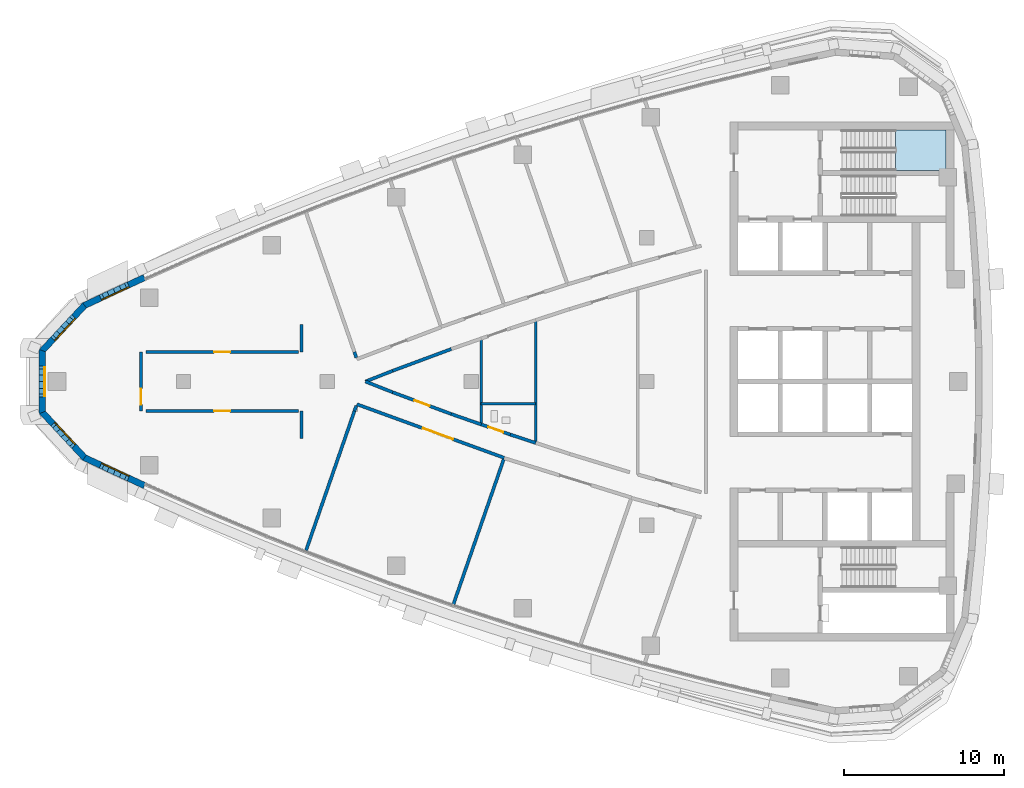
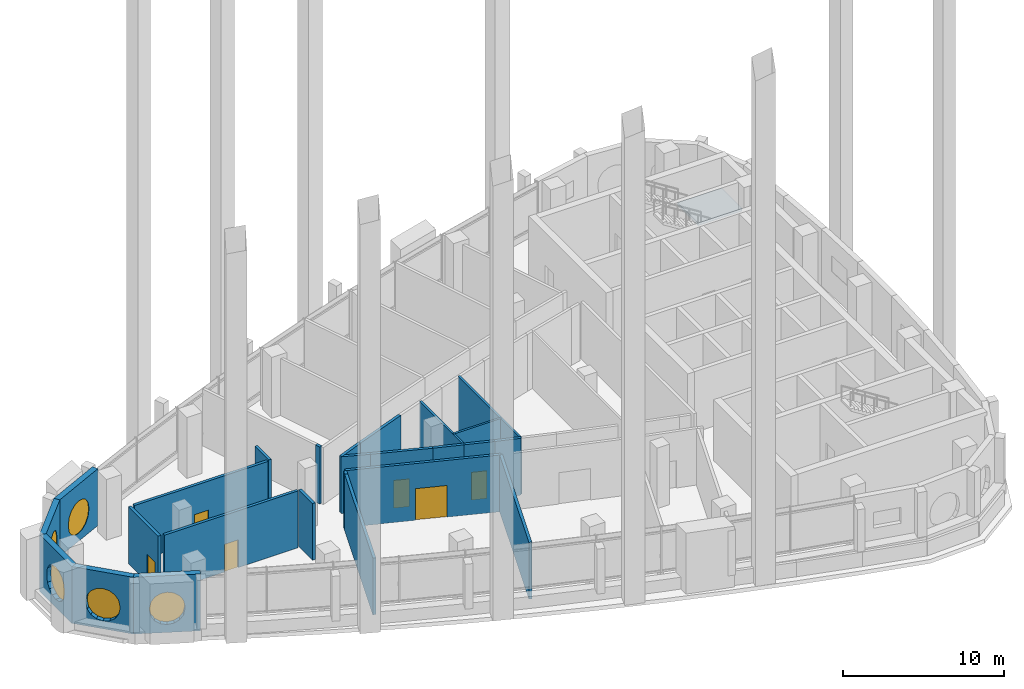
# One storey, part 6 of 15: 25 walls, 6 doors, 5 windows, 1 slab, 11 openings, 1 element without a shape of its own.
"""IFC4 building model written with IfcOpenShell, lengths in metres."""

from ifc_helpers import new_model, si_unit, direction, frame, frame_2d, origin, place, context, subcontext, project, spatial, polyline, rectangle, outline, extrude, material, layer, layer_set, type_object, element, fill, aggregate, save


model = new_model("IFC4")

# Units and contexts
model_context = context("Model", 3, precision=1e-05, world=origin(), true_north=direction((0.0, 1.0)))
body_context = subcontext(model_context, "Body", "Model", "MODEL_VIEW")
ifc_project = project(units=[si_unit("LENGTHUNIT", "METRE"), si_unit("AREAUNIT", "SQUARE_METRE"), si_unit("VOLUMEUNIT", "CUBIC_METRE"), si_unit("PLANEANGLEUNIT", "RADIAN"), si_unit("MASSUNIT", "GRAM", prefix="KILO")], contexts=[model_context])

# Site, building, storey
site_placement = place(None, origin())
site = spatial("IfcSite", under=ifc_project, at=site_placement, CompositionType="ELEMENT")
building_placement = place(site_placement, origin())
building = spatial("IfcBuilding", under=site, at=building_placement, Name="Ostrand Prow Hotel Tower", CompositionType="ELEMENT")
storey_placement = place(building_placement, frame((0.0, 0.0, 263.300048828125)))
storey = spatial("IfcBuildingStorey", under=building, at=storey_placement, Name="L66", CompositionType="ELEMENT", Elevation=263.300048828125)

# Stair, slab
ifc_material_1 = material(Name="Concrete C40/50", Category="concrete")
stair_type = type_object("IfcStairType", Name="Exit stair 1200 upper zone", PredefinedType="HALF_TURN_STAIR", material=ifc_material_1)
stair_placement = place(storey_placement, origin())
stair = element("IfcStair", 1, at=stair_placement, inside=storey, type_object=stair_type, Name="L66 ST3C", PredefinedType="HALF_TURN_STAIR")
ifc_material_2 = material(Name="Concrete C40/50", Category="concrete")
ifc_layer_1 = layer(ifc_material_2, 0.199951171875)
ifc_layer_set_1 = layer_set([ifc_layer_1], Name="Concrete C40/50")
slab_type = type_object("IfcSlabType", Name="Stair landing 200 concrete", PredefinedType="LANDING", material=ifc_layer_set_1)
slab_placement = place(storey_placement, frame((0.0, 0.0, 2.099853515625)))
slab = element("IfcSlab", 2, at=slab_placement, type_object=slab_type, Name="ST3C landing 1", PredefinedType="LANDING", context=body_context, shape_type="SweptSolid", body=[
    extrude(outline(polyline([(60.56005859375, 13.199951171875), (63.719970703125, 13.199951171875), (63.719970703125, 15.75), (60.56005859375, 15.75), (60.56005859375, 13.199951171875)])), origin(), (0.0, 0.0, 1.0), 0.2001953125),
])
aggregate(stair, [slab])

# Walls
ifc_material_3 = material(Name="Plasterboard partition")
ifc_layer_2 = layer(ifc_material_3, 0.14990234375)
ifc_layer_set_2 = layer_set([ifc_layer_2], Name="Plasterboard partition")
wall_type_1 = type_object("IfcWallType", Name="Partition 150 room partition", PredefinedType="PARTITIONING", material=ifc_layer_set_2)
wall_1_placement = place(storey_placement, frame((34.63232421875, -1.3828125, 0.0), z_axis=(0.0, 0.0, 1.0), x_axis=(1.0, 0.0, 0.0)))
element("IfcWall", 3, at=wall_1_placement, inside=storey, type_object=wall_type_1, Name="ROOM PARTITION", PredefinedType="PARTITIONING", context=body_context, shape_type="SweptSolid", body=[
    extrude(rectangle(XDim=3.410400390625, YDim=0.14990234375, at=frame_2d((1.705078125, 0.0))), origin(), (0.0, 0.0, 1.0), 4.300048828125),
])
wall_2_placement = place(storey_placement, frame((34.63232421875, -2.6875, 0.0), z_axis=(0.0, 0.0, 1.0), x_axis=(0.0, 1.0, 0.0)))
element("IfcWall", 4, at=wall_2_placement, inside=storey, type_object=wall_type_1, Name="ROOM PARTITION", PredefinedType="PARTITIONING", context=body_context, shape_type="SweptSolid", body=[
    extrude(rectangle(XDim=5.375, YDim=0.14990234375, at=frame_2d((2.6875, 0.0))), origin(), (0.0, 0.0, 1.0), 4.300048828125),
])
wall_3_placement = place(storey_placement, frame((38.042724609375, -3.8408203125, 0.0), z_axis=(0.0, 0.0, 1.0), x_axis=(0.0, 1.0, 0.0)))
element("IfcWall", 5, at=wall_3_placement, inside=storey, type_object=wall_type_1, Name="ROOM PARTITION", PredefinedType="PARTITIONING", context=body_context, shape_type="SweptSolid", body=[
    extrude(rectangle(XDim=7.681640625, YDim=0.14990234375, at=frame_2d((3.8408203125, 0.0))), origin(), (0.0, 0.0, 1.0), 4.300048828125),
])

# Wall, opening, door
ifc_material_4 = material(Name="Plasterboard partition")
ifc_layer_3 = layer(ifc_material_4, 0.199951171875)
ifc_layer_set_3 = layer_set([ifc_layer_3], Name="Plasterboard partition")
wall_type_2 = type_object("IfcWallType", Name="Partition 200 corridor wall", PredefinedType="PARTITIONING", material=ifc_layer_set_3)
wall_4_placement = place(storey_placement, frame((13.63720703125, 1.85009765625, 0.0), z_axis=(0.0, 0.0, 1.0), x_axis=(1.0, 0.0, 0.0)))
wall_4 = element("IfcWall", 6, at=wall_4_placement, inside=storey, type_object=wall_type_2, Name="CORRIDOR WALL", PredefinedType="PARTITIONING", context=body_context, shape_type="SweptSolid", body=[
    extrude(rectangle(XDim=9.548583984375, YDim=0.199951171875, at=frame_2d((4.7744140625, 0.0))), origin(), (0.0, 0.0, 1.0), 4.300048828125),
])
opening_1_placement = place(wall_4_placement, frame((4.2744140625, 0.0, 0.0)))
opening_1 = element("IfcOpeningElement", 7, at=opening_1_placement, cuts=wall_4, Name="Opening D1", PredefinedType="OPENING", context=body_context, shape_type="SweptSolid", body=[
    extrude(rectangle(XDim=1.0, YDim=2.10009765625, at=frame_2d((0.5, 1.050048828125))), frame((0.0, 0.10986328125, 0.0), z_axis=(0.0, -1.0, 0.0), x_axis=(1.0, 0.0, 0.0)), (0.0, 0.0, 1.0), 0.219970703125),
])
ifc_material_5 = material(Name="Timber door leaf", Category="wood")
door_type_1 = type_object("IfcDoorType", Name="Guest room door 1000", OperationType="SINGLE_SWING_LEFT", PredefinedType="DOOR", material=ifc_material_5)
door_1_placement = place(opening_1_placement, origin())
door_1 = element("IfcDoor", 8, at=door_1_placement, inside=storey, type_object=door_type_1, Name="DOOR", OperationType="SINGLE_SWING_LEFT", OverallHeight=2.10009765625, OverallWidth=1.0, PredefinedType="DOOR", context=body_context, shape_type="SweptSolid", body=[
    extrude(rectangle(XDim=1.0, YDim=2.10009765625, at=frame_2d((0.5, 1.050048828125))), frame((0.0, 0.02490234375, 0.0), z_axis=(0.0, -1.0, 0.0), x_axis=(1.0, 0.0, 0.0)), (0.0, 0.0, 1.0), 0.050048828125),
])
fill(opening_1, door_1)

wall_5_placement = place(storey_placement, frame((13.63720703125, -1.85009765625, 0.0), z_axis=(0.0, 0.0, 1.0), x_axis=(1.0, 0.0, 0.0)))
wall_5 = element("IfcWall", 9, at=wall_5_placement, inside=storey, type_object=wall_type_2, Name="CORRIDOR WALL", PredefinedType="PARTITIONING", context=body_context, shape_type="SweptSolid", body=[
    extrude(rectangle(XDim=9.548583984375, YDim=0.199951171875, at=frame_2d((4.7744140625, 0.0))), origin(), (0.0, 0.0, 1.0), 4.300048828125),
])
opening_2_placement = place(wall_5_placement, frame((4.2744140625, 0.0, 0.0)))
opening_2 = element("IfcOpeningElement", 10, at=opening_2_placement, cuts=wall_5, Name="Opening D1R", PredefinedType="OPENING", context=body_context, shape_type="SweptSolid", body=[
    extrude(rectangle(XDim=1.0, YDim=2.10009765625, at=frame_2d((0.5, 1.050048828125))), frame((0.0, 0.10986328125, 0.0), z_axis=(0.0, -1.0, 0.0), x_axis=(1.0, 0.0, 0.0)), (0.0, 0.0, 1.0), 0.219970703125),
])
ifc_material_6 = material(Name="Timber door leaf", Category="wood")
door_type_2 = type_object("IfcDoorType", Name="Guest room door 1000 right", OperationType="SINGLE_SWING_RIGHT", PredefinedType="DOOR", material=ifc_material_6)
door_2_placement = place(opening_2_placement, origin())
door_2 = element("IfcDoor", 11, at=door_2_placement, inside=storey, type_object=door_type_2, Name="DOOR", OperationType="SINGLE_SWING_RIGHT", OverallHeight=2.10009765625, OverallWidth=1.0, PredefinedType="DOOR", context=body_context, shape_type="SweptSolid", body=[
    extrude(rectangle(XDim=1.0, YDim=2.10009765625, at=frame_2d((0.5, 1.050048828125))), frame((0.0, 0.02490234375, 0.0), z_axis=(0.0, -1.0, 0.0), x_axis=(1.0, 0.0, 0.0)), (0.0, 0.0, 1.0), 0.050048828125),
])
fill(opening_2, door_2)

wall_6_placement = place(storey_placement, frame((26.85009765625, -1.4228515625, 0.0), z_axis=(0.0, 0.0, 1.0), x_axis=(0.939807953272, -0.341703103536, 0.0)))
wall_6 = element("IfcWall", 12, at=wall_6_placement, inside=storey, type_object=wall_type_2, Name="CORRIDOR WALL", PredefinedType="PARTITIONING", context=body_context, shape_type="SweptSolid", body=[
    extrude(rectangle(XDim=9.811279296875, YDim=0.199951171875, at=frame_2d((4.90576171875, 0.0))), origin(), (0.0, 0.0, 1.0), 4.300048828125),
])
opening_3_placement = place(wall_6_placement, frame((4.405517578125, 0.0, 0.0)))
opening_3 = element("IfcOpeningElement", 13, at=opening_3_placement, cuts=wall_6, Name="Opening D20", PredefinedType="OPENING", context=body_context, shape_type="SweptSolid", body=[
    extrude(rectangle(XDim=2.0, YDim=2.39990234375, at=frame_2d((1.0, 1.199951171875))), frame((0.0, 0.10986328125, 0.0), z_axis=(0.0, -1.0, 0.0), x_axis=(1.0, 0.0, 0.0)), (0.0, 0.0, 1.0), 0.219970703125),
])
ifc_material_7 = material(Name="Timber door leaf", Category="wood")
door_type_3 = type_object("IfcDoorType", Name="Double door 2000", OperationType="DOUBLE_DOOR_SINGLE_SWING", PredefinedType="DOOR", material=ifc_material_7)
door_3_placement = place(opening_3_placement, origin())
door_3 = element("IfcDoor", 14, at=door_3_placement, inside=storey, type_object=door_type_3, Name="DOOR", OperationType="DOUBLE_DOOR_SINGLE_SWING", OverallHeight=2.39990234375, OverallWidth=2.0, PredefinedType="DOOR", context=body_context, shape_type="SweptSolid", body=[
    extrude(rectangle(XDim=2.0, YDim=2.39990234375, at=frame_2d((1.0, 1.199951171875))), frame((0.0, 0.02490234375, 0.0), z_axis=(0.0, -1.0, 0.0), x_axis=(1.0, 0.0, 0.0)), (0.0, 0.0, 1.0), 0.050048828125),
])
fill(opening_3, door_3)

wall_7_placement = place(storey_placement, frame((32.759765625, -2.034912109375, 0.0), z_axis=(0.0, 0.0, 1.0), x_axis=(-0.937460178932, 0.348092534992, 0.0)))
wall_7 = element("IfcWall", 15, at=wall_7_placement, inside=storey, type_object=wall_type_2, Name="CORRIDOR WALL", PredefinedType="PARTITIONING", context=body_context, shape_type="SweptSolid", body=[
    extrude(rectangle(XDim=3.912841796875, YDim=0.199951171875, at=frame_2d((1.95654296875, 0.0))), origin(), (0.0, 0.0, 1.0), 4.300048828125),
])
opening_4_placement = place(wall_7_placement, frame((1.45654296875, 0.0, 0.0)))
opening_4 = element("IfcOpeningElement", 16, at=opening_4_placement, cuts=wall_7, Name="Opening D1R", PredefinedType="OPENING", context=body_context, shape_type="SweptSolid", body=[
    extrude(rectangle(XDim=1.0, YDim=2.10009765625, at=frame_2d((0.5, 1.050048828125))), frame((0.0, 0.10986328125, 0.0), z_axis=(0.0, -1.0, 0.0), x_axis=(1.0, 0.0, 0.0)), (0.0, 0.0, 1.0), 0.219970703125),
])
door_4_placement = place(opening_4_placement, origin())
door_4 = element("IfcDoor", 17, at=door_4_placement, inside=storey, type_object=door_type_2, Name="DOOR", OperationType="SINGLE_SWING_RIGHT", OverallHeight=2.10009765625, OverallWidth=1.0, PredefinedType="DOOR", context=body_context, shape_type="SweptSolid", body=[
    extrude(rectangle(XDim=1.0, YDim=2.10009765625, at=frame_2d((0.5, 1.050048828125))), frame((0.0, 0.02490234375, 0.0), z_axis=(0.0, -1.0, 0.0), x_axis=(1.0, 0.0, 0.0)), (0.0, 0.0, 1.0), 0.050048828125),
])
fill(opening_4, door_4)

# Walls
for number, where, z_axis, x_axis, name in (
    (18, (29.091552734375, -0.6728515625, 0.0), (0.0, 0.0, 1.0), (-0.930265251482, 0.366887669302, 0.0), "CORRIDOR WALL"),
    (19, (27.385498046875, 0.0, 0.0), (0.0, 0.0, 1.0), (0.930265251482, 0.366887669302, 0.0), "CORRIDOR WALL"),
):
    element("IfcWall", number, at=place(storey_placement, frame(where, z_axis=z_axis, x_axis=x_axis)), inside=storey, type_object=wall_type_2, Name=name, PredefinedType="PARTITIONING", context=body_context, shape_type="SweptSolid", body=[
        extrude(rectangle(XDim=1.833984375, YDim=0.199951171875, at=frame_2d((0.9169921875, 0.0))), origin(), (0.0, 0.0, 1.0), 4.300048828125),
    ])
wall_8_placement = place(storey_placement, frame((29.091552734375, 0.6728515625, 0.0), z_axis=(0.0, 0.0, 1.0), x_axis=(0.937460178932, 0.348092534992, 0.0)))
element("IfcWall", 20, at=wall_8_placement, inside=storey, type_object=wall_type_2, Name="CORRIDOR WALL", PredefinedType="PARTITIONING", context=body_context, shape_type="SweptSolid", body=[
    extrude(rectangle(XDim=3.912841796875, YDim=0.199951171875, at=frame_2d((1.95654296875, 0.0))), origin(), (0.0, 0.0, 1.0), 4.300048828125),
])
wall_9_placement = place(storey_placement, frame((34.63232421875, -2.6875, 0.0), z_axis=(0.0, 0.0, 1.0), x_axis=(-0.944298975954, 0.3290888087, 0.0)))
element("IfcWall", 21, at=wall_9_placement, inside=storey, type_object=wall_type_2, Name="CORRIDOR WALL", PredefinedType="PARTITIONING", context=body_context, shape_type="SweptSolid", body=[
    extrude(rectangle(XDim=1.98291015625, YDim=0.199951171875, at=frame_2d((0.991455078125, 0.0))), origin(), (0.0, 0.0, 1.0), 4.300048828125),
])

# Wall, opening, door
wall_10_placement = place(storey_placement, frame((36.45458984375, -3.32275390625, 0.0), z_axis=(0.0, 0.0, 1.0), x_axis=(-0.944267869157, 0.329178054066, 0.0)))
wall_10 = element("IfcWall", 22, at=wall_10_placement, inside=storey, type_object=wall_type_2, Name="CORRIDOR WALL", PredefinedType="PARTITIONING", context=body_context, shape_type="SweptSolid", body=[
    extrude(rectangle(XDim=1.929931640625, YDim=0.199951171875, at=frame_2d((0.96484375, 0.0))), origin(), (0.0, 0.0, 1.0), 4.300048828125),
])
opening_5_placement = place(wall_10_placement, frame((0.465087890625, 0.0, 0.0)))
opening_5 = element("IfcOpeningElement", 23, at=opening_5_placement, cuts=wall_10, Name="Opening D1", PredefinedType="OPENING", context=body_context, shape_type="SweptSolid", body=[
    extrude(rectangle(XDim=1.0, YDim=2.10009765625, at=frame_2d((0.5, 1.050048828125))), frame((0.0, 0.10986328125, 0.0), z_axis=(0.0, -1.0, 0.0), x_axis=(1.0, 0.0, 0.0)), (0.0, 0.0, 1.0), 0.219970703125),
])
door_5_placement = place(opening_5_placement, origin())
door_5 = element("IfcDoor", 24, at=door_5_placement, inside=storey, type_object=door_type_1, Name="DOOR", OperationType="SINGLE_SWING_LEFT", OverallHeight=2.10009765625, OverallWidth=1.0, PredefinedType="DOOR", context=body_context, shape_type="SweptSolid", body=[
    extrude(rectangle(XDim=1.0, YDim=2.10009765625, at=frame_2d((0.5, 1.050048828125))), frame((0.0, 0.02490234375, 0.0), z_axis=(0.0, -1.0, 0.0), x_axis=(1.0, 0.0, 0.0)), (0.0, 0.0, 1.0), 0.050048828125),
])
fill(opening_5, door_5)

# Walls
wall_11_placement = place(storey_placement, frame((38.042724609375, -3.8408203125, 0.0), z_axis=(0.0, 0.0, 1.0), x_axis=(-0.950695184954, 0.31012685357, 0.0)))
element("IfcWall", 25, at=wall_11_placement, inside=storey, type_object=wall_type_2, Name="CORRIDOR WALL", PredefinedType="PARTITIONING", context=body_context, shape_type="SweptSolid", body=[
    extrude(rectangle(XDim=1.67041015625, YDim=0.199951171875, at=frame_2d((0.835205078125, 0.0))), origin(), (0.0, 0.0, 1.0), 4.300048828125),
])
wall_12_placement = place(storey_placement, frame((23.3857421875, 3.580322265625, 0.0), z_axis=(0.0, 0.0, 1.0), x_axis=(0.0, -1.0, 0.0)))
element("IfcWall", 26, at=wall_12_placement, inside=storey, type_object=wall_type_2, Name="CORRIDOR WALL", PredefinedType="PARTITIONING", context=body_context, shape_type="SweptSolid", body=[
    extrude(rectangle(XDim=1.725341796875, YDim=0.199951171875, at=frame_2d((0.86279296875, 0.0))), origin(), (0.0, 0.0, 1.0), 4.300048828125),
])
wall_13_placement = place(storey_placement, frame((23.3857421875, -1.85498046875, 0.0), z_axis=(0.0, 0.0, 1.0), x_axis=(0.0, -1.0, 0.0)))
element("IfcWall", 27, at=wall_13_placement, inside=storey, type_object=wall_type_2, Name="CORRIDOR WALL", PredefinedType="PARTITIONING", context=body_context, shape_type="SweptSolid", body=[
    extrude(rectangle(XDim=1.71533203125, YDim=0.199951171875, at=frame_2d((0.857666015625, 0.0))), origin(), (0.0, 0.0, 1.0), 4.300048828125),
])
wall_14_placement = place(storey_placement, frame((26.817138671875, 1.495849609375, 0.0), z_axis=(0.0, 0.0, 1.0), x_axis=(-0.327535464747, 0.944838885384, 0.0)))
element("IfcWall", 28, at=wall_14_placement, inside=storey, type_object=wall_type_2, Name="CORRIDOR WALL", PredefinedType="PARTITIONING", context=body_context, shape_type="SweptSolid", body=[
    extrude(rectangle(XDim=0.375, YDim=0.199951171875, at=frame_2d((0.1875, 0.0))), origin(), (0.0, 0.0, 1.0), 4.300048828125),
])
wall_15_placement = place(storey_placement, frame((26.6943359375, -1.85009765625, 0.0), z_axis=(0.0, 0.0, 1.0), x_axis=(0.342737536943, 0.939431200658, 0.0)))
element("IfcWall", 29, at=wall_15_placement, inside=storey, type_object=wall_type_2, Name="CORRIDOR WALL", PredefinedType="PARTITIONING", context=body_context, shape_type="SweptSolid", body=[
    extrude(rectangle(XDim=0.354736328125, YDim=0.199951171875, at=frame_2d((0.17724609375, 0.0))), origin(), (0.0, 0.0, 1.0), 4.300048828125),
])
ifc_material_8 = material(Name="Plasterboard partition")
ifc_layer_4 = layer(ifc_material_8, 0.199951171875)
ifc_layer_set_4 = layer_set([ifc_layer_4], Name="Plasterboard partition")
wall_type_3 = type_object("IfcWallType", Name="Partition 200 key partition", PredefinedType="PARTITIONING", material=ifc_layer_set_4)
wall_16_placement = place(storey_placement, frame((23.66845703125, -10.573486328125, 0.0), z_axis=(0.0, 0.0, 1.0), x_axis=(0.327714422317, 0.944776829418, 0.0)))
element("IfcWall", 30, at=wall_16_placement, inside=storey, type_object=wall_type_3, Name="KEY PARTITION", PredefinedType="PARTITIONING", context=body_context, shape_type="SweptSolid", body=[
    extrude(rectangle(XDim=9.2333984375, YDim=0.199951171875, at=frame_2d((4.61669921875, 0.0))), origin(), (0.0, 0.0, 1.0), 4.300048828125),
])
wall_17_placement = place(storey_placement, frame((32.891357421875, -13.941162109375, 0.0), z_axis=(0.0, 0.0, 1.0), x_axis=(0.327725028322, 0.94477315045, 0.0)))
element("IfcWall", 31, at=wall_17_placement, inside=storey, type_object=wall_type_3, Name="KEY PARTITION", PredefinedType="PARTITIONING", context=body_context, shape_type="SweptSolid", body=[
    extrude(rectangle(XDim=9.70166015625, YDim=0.199951171875, at=frame_2d((4.850830078125, 0.0))), origin(), (0.0, 0.0, 1.0), 4.300048828125),
])

# Wall, opening, door
ifc_material_9 = material(Name="Plasterboard partition")
ifc_layer_5 = layer(ifc_material_9, 0.199951171875)
ifc_layer_set_5 = layer_set([ifc_layer_5], Name="Plasterboard partition")
wall_type_4 = type_object("IfcWallType", Name="Partition 200 lounge wall", PredefinedType="PARTITIONING", material=ifc_layer_set_5)
wall_18_placement = place(storey_placement, frame((13.337158203125, -1.85009765625, 0.0), z_axis=(0.0, 0.0, 1.0), x_axis=(0.0, 1.0, 0.0)))
wall_18 = element("IfcWall", 32, at=wall_18_placement, inside=storey, type_object=wall_type_4, Name="LOUNGE WALL", PredefinedType="PARTITIONING", context=body_context, shape_type="SweptSolid", body=[
    extrude(rectangle(XDim=3.7001953125, YDim=0.199951171875, at=frame_2d((1.85009765625, 0.0))), origin(), (0.0, 0.0, 1.0), 4.300048828125),
])
opening_6_placement = place(wall_18_placement, frame((0.39990234375, 0.0, 0.0)))
opening_6 = element("IfcOpeningElement", 33, at=opening_6_placement, cuts=wall_18, Name="Opening D1", PredefinedType="OPENING", context=body_context, shape_type="SweptSolid", body=[
    extrude(rectangle(XDim=1.0, YDim=2.10009765625, at=frame_2d((0.5, 1.050048828125))), frame((0.0, 0.10986328125, 0.0), z_axis=(0.0, -1.0, 0.0), x_axis=(1.0, 0.0, 0.0)), (0.0, 0.0, 1.0), 0.219970703125),
])
door_6_placement = place(opening_6_placement, origin())
door_6 = element("IfcDoor", 34, at=door_6_placement, inside=storey, type_object=door_type_1, Name="DOOR", OperationType="SINGLE_SWING_LEFT", OverallHeight=2.10009765625, OverallWidth=1.0, PredefinedType="DOOR", context=body_context, shape_type="SweptSolid", body=[
    extrude(rectangle(XDim=1.0, YDim=2.10009765625, at=frame_2d((0.5, 1.050048828125))), frame((0.0, 0.02490234375, 0.0), z_axis=(0.0, -1.0, 0.0), x_axis=(1.0, 0.0, 0.0)), (0.0, 0.0, 1.0), 0.050048828125),
])
fill(opening_6, door_6)

# Wall, opening, window
ifc_material_10 = material(Name="Precast concrete C40/50", Category="concrete")
ifc_layer_6 = layer(ifc_material_10, 0.39990234375)
ifc_layer_set_6 = layer_set([ifc_layer_6], Name="Precast concrete C40/50")
wall_type_5 = type_object("IfcWallType", Name="Stone-faced precast wall 400 mm", PredefinedType="NOTDEFINED", material=ifc_layer_set_6)
wall_19_placement = place(storey_placement, frame((13.55859375, 6.5146484375, 0.0), z_axis=(0.0, 0.0, 1.0), x_axis=(-0.906485602396, -0.42223672584, 0.0)))
wall_19 = element("IfcWall", 35, at=wall_19_placement, inside=storey, type_object=wall_type_5, Name="Stone-faced wall prow 1", PredefinedType="NOTDEFINED", context=body_context, shape_type="SweptSolid", body=[
    extrude(outline(polyline([(0.0, -0.199951171875), (4.1806640625, -0.199951171875), (4.1025390625, 0.199951171875), (0.0, 0.199951171875), (0.0, -0.199951171875)])), origin(), (0.0, 0.0, 1.0), 4.300048828125),
])
opening_7_placement = place(wall_19_placement, frame((0.970947265625, 0.0, 0.60009765625)))
opening_7 = element("IfcOpeningElement", 36, at=opening_7_placement, cuts=wall_19, Name="Opening WP2", PredefinedType="OPENING", context=body_context, shape_type="SweptSolid", body=[
    extrude(outline(polyline([(0.0, 1.35009765625), (0.083740234375, 1.77099609375), (0.322265625, 2.127685546875), (0.678955078125, 2.3662109375), (1.10009765625, 2.449951171875), (1.52099609375, 2.3662109375), (1.877685546875, 2.127685546875), (2.1162109375, 1.77099609375), (2.199951171875, 1.35009765625), (2.199951171875, 1.10009765625), (2.1162109375, 0.678955078125), (1.877685546875, 0.322265625), (1.52099609375, 0.083740234375), (1.10009765625, 0.0), (0.678955078125, 0.083740234375), (0.322265625, 0.322265625), (0.083740234375, 0.678955078125), (0.0, 1.099853515625), (0.0, 1.35009765625)])), frame((0.0, 0.2099609375, 0.0), z_axis=(0.0, -1.0, 0.0), x_axis=(1.0, 0.0, 0.0)), (0.0, 0.0, 1.0), 0.419921875),
])
ifc_material_11 = material(Name="Insulated glass in bronze frame", Category="glass")
window_type = type_object("IfcWindowType", Name="Round-ended prow lounge window 2200x2450", PartitioningType="SINGLE_PANEL", PredefinedType="WINDOW", material=ifc_material_11)
window_1_placement = place(opening_7_placement, origin())
window_1 = element("IfcWindow", 37, at=window_1_placement, inside=storey, type_object=window_type, Name="Window prow 1.1", OverallHeight=2.449951171875, OverallWidth=2.199951171875, PartitioningType="SINGLE_PANEL", PredefinedType="WINDOW", context=body_context, shape_type="SweptSolid", body=[
    extrude(outline(polyline([(0.0, 1.35009765625), (0.083740234375, 1.77099609375), (0.322265625, 2.127685546875), (0.678955078125, 2.3662109375), (1.10009765625, 2.449951171875), (1.52099609375, 2.3662109375), (1.877685546875, 2.127685546875), (2.1162109375, 1.77099609375), (2.199951171875, 1.35009765625), (2.199951171875, 1.10009765625), (2.1162109375, 0.678955078125), (1.877685546875, 0.322265625), (1.52099609375, 0.083740234375), (1.10009765625, 0.0), (0.678955078125, 0.083740234375), (0.322265625, 0.322265625), (0.083740234375, 0.678955078125), (0.0, 1.099853515625), (0.0, 1.35009765625)])), frame((0.0, 0.169921875, 0.0), z_axis=(0.0, -1.0, 0.0), x_axis=(1.0, 0.0, 0.0)), (0.0, 0.0, 1.0), 0.06005859375),
])
fill(opening_7, window_1)

wall_20_placement = place(storey_placement, frame((9.80419921875, 4.765869140625, 0.0), z_axis=(0.0, 0.0, 1.0), x_axis=(-0.6815467277, -0.73177459505, 0.0)))
wall_20 = element("IfcWall", 38, at=wall_20_placement, inside=storey, type_object=wall_type_5, Name="Stone-faced wall prow 2", PredefinedType="NOTDEFINED", context=body_context, shape_type="SweptSolid", body=[
    extrude(outline(polyline([(-0.0390625, -0.199951171875), (3.94775390625, -0.199951171875), (3.79052734375, 0.199951171875), (0.0390625, 0.199951171875), (-0.0390625, -0.199951171875)])), origin(), (0.0, 0.0, 1.0), 4.300048828125),
])
opening_8_placement = place(wall_20_placement, frame((0.834716796875, 0.0, 0.60009765625)))
opening_8 = element("IfcOpeningElement", 39, at=opening_8_placement, cuts=wall_20, Name="Opening WP2", PredefinedType="OPENING", context=body_context, shape_type="SweptSolid", body=[
    extrude(outline(polyline([(0.0, 1.35009765625), (0.083740234375, 1.77099609375), (0.322265625, 2.127685546875), (0.678955078125, 2.3662109375), (1.10009765625, 2.449951171875), (1.52099609375, 2.3662109375), (1.877685546875, 2.127685546875), (2.1162109375, 1.77099609375), (2.199951171875, 1.35009765625), (2.199951171875, 1.10009765625), (2.1162109375, 0.678955078125), (1.877685546875, 0.322265625), (1.52099609375, 0.083740234375), (1.10009765625, 0.0), (0.678955078125, 0.083740234375), (0.322265625, 0.322265625), (0.083740234375, 0.678955078125), (0.0, 1.099853515625), (0.0, 1.35009765625)])), frame((0.0, 0.2099609375, 0.0), z_axis=(0.0, -1.0, 0.0), x_axis=(1.0, 0.0, 0.0)), (0.0, 0.0, 1.0), 0.419921875),
])
window_2_placement = place(opening_8_placement, origin())
window_2 = element("IfcWindow", 40, at=window_2_placement, inside=storey, type_object=window_type, Name="Window prow 2.1", OverallHeight=2.449951171875, OverallWidth=2.199951171875, PartitioningType="SINGLE_PANEL", PredefinedType="WINDOW", context=body_context, shape_type="SweptSolid", body=[
    extrude(outline(polyline([(0.0, 1.35009765625), (0.083740234375, 1.77099609375), (0.322265625, 2.127685546875), (0.678955078125, 2.3662109375), (1.10009765625, 2.449951171875), (1.52099609375, 2.3662109375), (1.877685546875, 2.127685546875), (2.1162109375, 1.77099609375), (2.199951171875, 1.35009765625), (2.199951171875, 1.10009765625), (2.1162109375, 0.678955078125), (1.877685546875, 0.322265625), (1.52099609375, 0.083740234375), (1.10009765625, 0.0), (0.678955078125, 0.083740234375), (0.322265625, 0.322265625), (0.083740234375, 0.678955078125), (0.0, 1.099853515625), (0.0, 1.35009765625)])), frame((0.0, 0.169921875, 0.0), z_axis=(0.0, -1.0, 0.0), x_axis=(1.0, 0.0, 0.0)), (0.0, 0.0, 1.0), 0.06005859375),
])
fill(opening_8, window_2)

wall_21_placement = place(storey_placement, frame((7.167236328125, 1.9345703125, 0.0), z_axis=(0.0, 0.0, 1.0), x_axis=(0.0, -1.0, 0.0)))
wall_21 = element("IfcWall", 41, at=wall_21_placement, inside=storey, type_object=wall_type_5, Name="Stone-faced wall prow 3", PredefinedType="NOTDEFINED", context=body_context, shape_type="SweptSolid", body=[
    extrude(outline(polyline([(-0.07861328125, -0.199951171875), (3.94775390625, -0.199951171875), (3.79052734375, 0.199951171875), (0.07861328125, 0.199951171875), (-0.07861328125, -0.199951171875)])), origin(), (0.0, 0.0, 1.0), 4.300048828125),
])
opening_9_placement = place(wall_21_placement, frame((0.834716796875, 0.0, 0.60009765625)))
opening_9 = element("IfcOpeningElement", 42, at=opening_9_placement, cuts=wall_21, Name="Opening WP2", PredefinedType="OPENING", context=body_context, shape_type="SweptSolid", body=[
    extrude(outline(polyline([(0.0, 1.35009765625), (0.083740234375, 1.77099609375), (0.322265625, 2.127685546875), (0.678955078125, 2.3662109375), (1.10009765625, 2.449951171875), (1.52099609375, 2.3662109375), (1.877685546875, 2.127685546875), (2.1162109375, 1.77099609375), (2.199951171875, 1.35009765625), (2.199951171875, 1.10009765625), (2.1162109375, 0.678955078125), (1.877685546875, 0.322265625), (1.52099609375, 0.083740234375), (1.10009765625, 0.0), (0.678955078125, 0.083740234375), (0.322265625, 0.322265625), (0.083740234375, 0.678955078125), (0.0, 1.099853515625), (0.0, 1.35009765625)])), frame((0.0, 0.2099609375, 0.0), z_axis=(0.0, -1.0, 0.0), x_axis=(1.0, 0.0, 0.0)), (0.0, 0.0, 1.0), 0.419921875),
])
window_3_placement = place(opening_9_placement, origin())
window_3 = element("IfcWindow", 43, at=window_3_placement, inside=storey, type_object=window_type, Name="Window prow 3.1", OverallHeight=2.449951171875, OverallWidth=2.199951171875, PartitioningType="SINGLE_PANEL", PredefinedType="WINDOW", context=body_context, shape_type="SweptSolid", body=[
    extrude(outline(polyline([(0.0, 1.35009765625), (0.083740234375, 1.77099609375), (0.322265625, 2.127685546875), (0.678955078125, 2.3662109375), (1.10009765625, 2.449951171875), (1.52099609375, 2.3662109375), (1.877685546875, 2.127685546875), (2.1162109375, 1.77099609375), (2.199951171875, 1.35009765625), (2.199951171875, 1.10009765625), (2.1162109375, 0.678955078125), (1.877685546875, 0.322265625), (1.52099609375, 0.083740234375), (1.10009765625, 0.0), (0.678955078125, 0.083740234375), (0.322265625, 0.322265625), (0.083740234375, 0.678955078125), (0.0, 1.099853515625), (0.0, 1.35009765625)])), frame((0.0, 0.169921875, 0.0), z_axis=(0.0, -1.0, 0.0), x_axis=(1.0, 0.0, 0.0)), (0.0, 0.0, 1.0), 0.06005859375),
])
fill(opening_9, window_3)

wall_22_placement = place(storey_placement, frame((7.167236328125, -1.9345703125, 0.0), z_axis=(0.0, 0.0, 1.0), x_axis=(0.6815467277, -0.73177459505, 0.0)))
wall_22 = element("IfcWall", 44, at=wall_22_placement, inside=storey, type_object=wall_type_5, Name="Stone-faced wall prow 4", PredefinedType="NOTDEFINED", context=body_context, shape_type="SweptSolid", body=[
    extrude(outline(polyline([(-0.07861328125, -0.199951171875), (3.908203125, -0.199951171875), (3.830078125, 0.199951171875), (0.07861328125, 0.199951171875), (-0.07861328125, -0.199951171875)])), origin(), (0.0, 0.0, 1.0), 4.300048828125),
])
opening_10_placement = place(wall_22_placement, frame((0.834716796875, 0.0, 0.60009765625)))
opening_10 = element("IfcOpeningElement", 45, at=opening_10_placement, cuts=wall_22, Name="Opening WP2", PredefinedType="OPENING", context=body_context, shape_type="SweptSolid", body=[
    extrude(outline(polyline([(0.0, 1.35009765625), (0.083740234375, 1.77099609375), (0.322265625, 2.127685546875), (0.678955078125, 2.3662109375), (1.10009765625, 2.449951171875), (1.52099609375, 2.3662109375), (1.877685546875, 2.127685546875), (2.1162109375, 1.77099609375), (2.199951171875, 1.35009765625), (2.199951171875, 1.10009765625), (2.1162109375, 0.678955078125), (1.877685546875, 0.322265625), (1.52099609375, 0.083740234375), (1.10009765625, 0.0), (0.678955078125, 0.083740234375), (0.322265625, 0.322265625), (0.083740234375, 0.678955078125), (0.0, 1.099853515625), (0.0, 1.35009765625)])), frame((0.0, 0.2099609375, 0.0), z_axis=(0.0, -1.0, 0.0), x_axis=(1.0, 0.0, 0.0)), (0.0, 0.0, 1.0), 0.419921875),
])
window_4_placement = place(opening_10_placement, origin())
window_4 = element("IfcWindow", 46, at=window_4_placement, inside=storey, type_object=window_type, Name="Window prow 4.1", OverallHeight=2.449951171875, OverallWidth=2.199951171875, PartitioningType="SINGLE_PANEL", PredefinedType="WINDOW", context=body_context, shape_type="SweptSolid", body=[
    extrude(outline(polyline([(0.0, 1.35009765625), (0.083740234375, 1.77099609375), (0.322265625, 2.127685546875), (0.678955078125, 2.3662109375), (1.10009765625, 2.449951171875), (1.52099609375, 2.3662109375), (1.877685546875, 2.127685546875), (2.1162109375, 1.77099609375), (2.199951171875, 1.35009765625), (2.199951171875, 1.10009765625), (2.1162109375, 0.678955078125), (1.877685546875, 0.322265625), (1.52099609375, 0.083740234375), (1.10009765625, 0.0), (0.678955078125, 0.083740234375), (0.322265625, 0.322265625), (0.083740234375, 0.678955078125), (0.0, 1.099853515625), (0.0, 1.35009765625)])), frame((0.0, 0.169921875, 0.0), z_axis=(0.0, -1.0, 0.0), x_axis=(1.0, 0.0, 0.0)), (0.0, 0.0, 1.0), 0.06005859375),
])
fill(opening_10, window_4)

wall_23_placement = place(storey_placement, frame((9.80419921875, -4.765869140625, 0.0), z_axis=(0.0, 0.0, 1.0), x_axis=(0.906485602396, -0.42223672584, 0.0)))
wall_23 = element("IfcWall", 47, at=wall_23_placement, inside=storey, type_object=wall_type_5, Name="Stone-faced wall prow 5", PredefinedType="NOTDEFINED", context=body_context, shape_type="SweptSolid", body=[
    extrude(outline(polyline([(-0.0390625, -0.199951171875), (4.1416015625, -0.199951171875), (4.1416015625, 0.199951171875), (0.0390625, 0.199951171875), (-0.0390625, -0.199951171875)])), origin(), (0.0, 0.0, 1.0), 4.300048828125),
])
opening_11_placement = place(wall_23_placement, frame((0.970947265625, 0.0, 0.60009765625)))
opening_11 = element("IfcOpeningElement", 48, at=opening_11_placement, cuts=wall_23, Name="Opening WP2", PredefinedType="OPENING", context=body_context, shape_type="SweptSolid", body=[
    extrude(outline(polyline([(0.0, 1.35009765625), (0.083740234375, 1.77099609375), (0.322265625, 2.127685546875), (0.678955078125, 2.3662109375), (1.10009765625, 2.449951171875), (1.52099609375, 2.3662109375), (1.877685546875, 2.127685546875), (2.1162109375, 1.77099609375), (2.199951171875, 1.35009765625), (2.199951171875, 1.10009765625), (2.1162109375, 0.678955078125), (1.877685546875, 0.322265625), (1.52099609375, 0.083740234375), (1.10009765625, 0.0), (0.678955078125, 0.083740234375), (0.322265625, 0.322265625), (0.083740234375, 0.678955078125), (0.0, 1.099853515625), (0.0, 1.35009765625)])), frame((0.0, 0.2099609375, 0.0), z_axis=(0.0, -1.0, 0.0), x_axis=(1.0, 0.0, 0.0)), (0.0, 0.0, 1.0), 0.419921875),
])
window_5_placement = place(opening_11_placement, origin())
window_5 = element("IfcWindow", 49, at=window_5_placement, inside=storey, type_object=window_type, Name="Window prow 5.1", OverallHeight=2.449951171875, OverallWidth=2.199951171875, PartitioningType="SINGLE_PANEL", PredefinedType="WINDOW", context=body_context, shape_type="SweptSolid", body=[
    extrude(outline(polyline([(0.0, 1.35009765625), (0.083740234375, 1.77099609375), (0.322265625, 2.127685546875), (0.678955078125, 2.3662109375), (1.10009765625, 2.449951171875), (1.52099609375, 2.3662109375), (1.877685546875, 2.127685546875), (2.1162109375, 1.77099609375), (2.199951171875, 1.35009765625), (2.199951171875, 1.10009765625), (2.1162109375, 0.678955078125), (1.877685546875, 0.322265625), (1.52099609375, 0.083740234375), (1.10009765625, 0.0), (0.678955078125, 0.083740234375), (0.322265625, 0.322265625), (0.083740234375, 0.678955078125), (0.0, 1.099853515625), (0.0, 1.35009765625)])), frame((0.0, 0.169921875, 0.0), z_axis=(0.0, -1.0, 0.0), x_axis=(1.0, 0.0, 0.0)), (0.0, 0.0, 1.0), 0.06005859375),
])
fill(opening_11, window_5)

save(model, "model.ifc")
